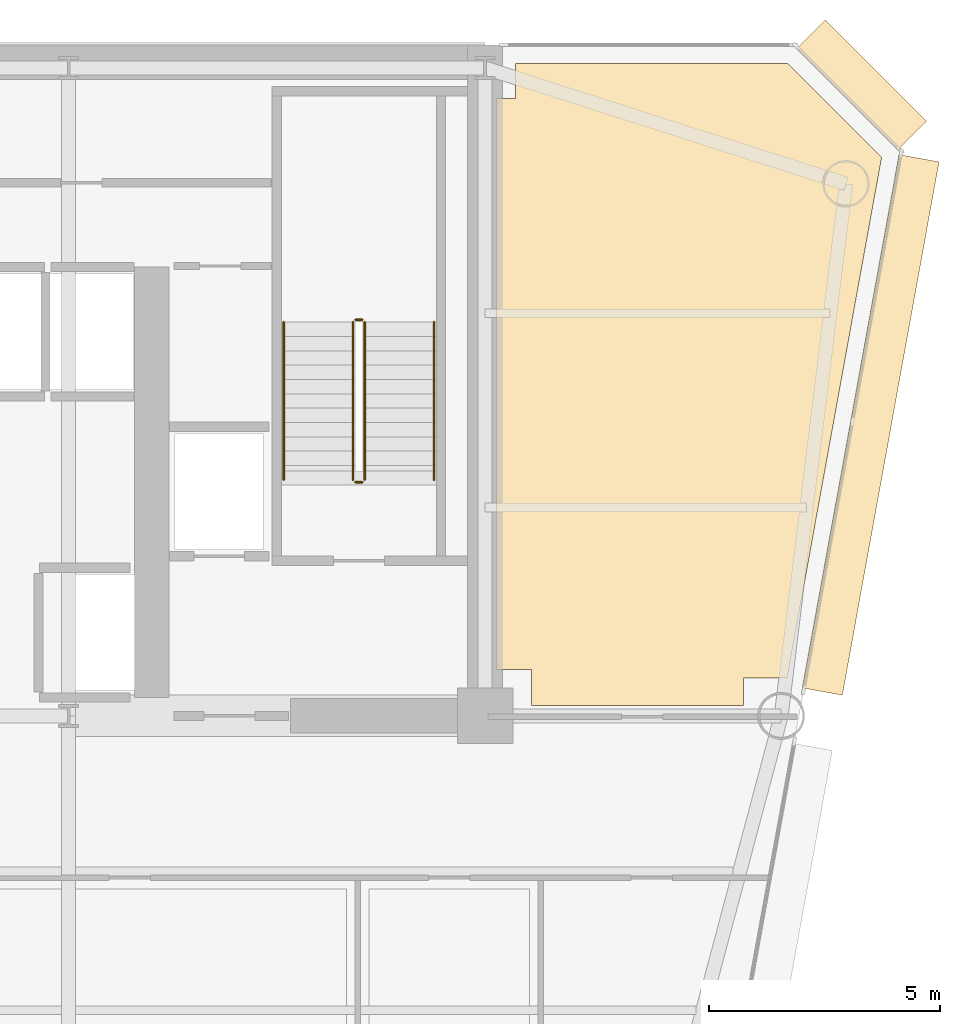
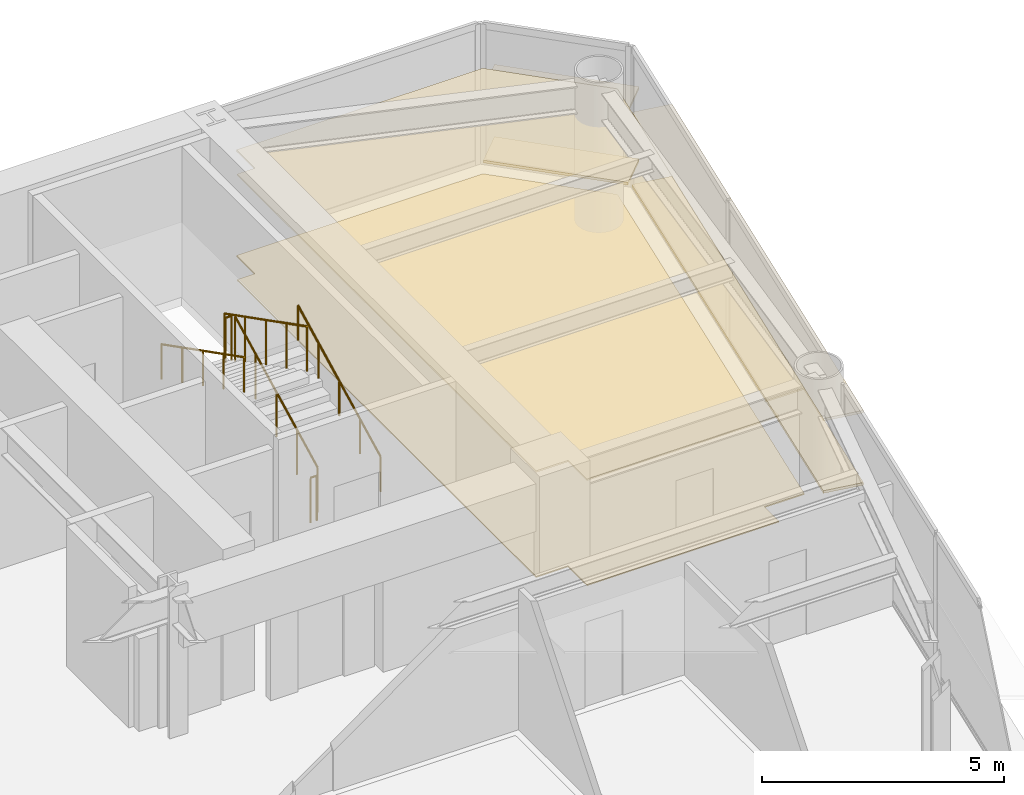
# One storey, part 14 of 14: 6 coverings, 6 railings.
"""IFC4 building model written with IfcOpenShell, lengths in metres."""

from ifc_helpers import new_model, si_unit, direction, frame, origin, origin_2d, place, context, subcontext, project, spatial, polyline, rectangle, circle, outline, extrude, source, transform, mapped, material, layer, layer_set, type_object, element, save


model = new_model("IFC4")

# Units and contexts
model_context = context("Model", 3, precision=1e-05, world=origin(), true_north=direction((0.0, 1.0)))
body_context = subcontext(model_context, "Body", "Model", "MODEL_VIEW")
ifc_project = project(units=[si_unit("LENGTHUNIT", "METRE"), si_unit("AREAUNIT", "SQUARE_METRE"), si_unit("VOLUMEUNIT", "CUBIC_METRE"), si_unit("PLANEANGLEUNIT", "RADIAN"), si_unit("MASSUNIT", "GRAM", prefix="KILO")], contexts=[model_context])

# Site, building, storey
site_placement = place(None, origin())
site = spatial("IfcSite", under=ifc_project, at=site_placement, CompositionType="ELEMENT")
building_placement = place(site_placement, origin())
building = spatial("IfcBuilding", under=site, at=building_placement, Name="Vaeldorn Concourse Tower", CompositionType="ELEMENT")
storey_placement = place(building_placement, frame((0.0, 0.0, 145.199951171875)))
storey = spatial("IfcBuildingStorey", under=building, at=storey_placement, Name="L37", CompositionType="ELEMENT", Elevation=145.199951171875)

# Coverings
ifc_material_1 = material(Name="Acoustic Mineral Fibre Board", Category="gypsum")
ifc_layer_1 = layer(ifc_material_1, 0.0400390625)
ifc_layer_set_1 = layer_set([ifc_layer_1], Name="Acoustic Mineral Fibre Board")
covering_type_1 = type_object("IfcCoveringType", Name="COV-CEIL-ACOUSTIC", PredefinedType="CEILING", material=ifc_layer_set_1)
covering_1_placement = place(storey_placement, frame((0.0, 0.0, 2.650146484375)))
element("IfcCovering", 1, at=covering_1_placement, inside=storey, type_object=covering_type_1, Name="Suspended Acoustic Ceiling L37-4", PredefinedType="CEILING", context=body_context, shape_type="SweptSolid", body=[
    extrude(outline(polyline([(54.659912109375, 49.840087890625), (54.659912109375, 50.60009765625), (60.5341796875, 50.60009765625), (62.569091796875, 48.565185546875), (60.529541015625, 37.320068359375), (59.580078125, 37.320068359375), (59.580078125, 36.719970703125), (55.0, 36.719970703125), (55.0, 37.5), (54.239990234375, 37.5), (54.239990234375, 49.840087890625), (54.659912109375, 49.840087890625)])), origin(), (0.0, 0.0, 1.0), 0.039794921875),
])
ifc_material_2 = material(Name="Honed Limestone Terrazzo Flooring", Category="masonry")
ifc_layer_2 = layer(ifc_material_2, 0.0400390625)
ifc_layer_set_2 = layer_set([ifc_layer_2], Name="Honed Limestone Terrazzo Flooring")
covering_type_2 = type_object("IfcCoveringType", Name="COV-FLOOR-STONE", PredefinedType="FLOORING", material=ifc_layer_set_2)
covering_2_placement = place(storey_placement, origin())
element("IfcCovering", 2, at=covering_2_placement, inside=storey, type_object=covering_type_2, Name="Floor Finish Covering L37-4", PredefinedType="FLOORING", context=body_context, shape_type="SweptSolid", body=[
    extrude(outline(polyline([(54.659912109375, 49.840087890625), (54.659912109375, 50.60009765625), (60.5341796875, 50.60009765625), (62.569091796875, 48.565185546875), (60.529541015625, 37.320068359375), (59.580078125, 37.320068359375), (59.580078125, 36.719970703125), (55.0, 36.719970703125), (55.0, 37.5), (54.239990234375, 37.5), (54.239990234375, 49.840087890625), (54.659912109375, 49.840087890625)])), origin(), (0.0, 0.0, 1.0), 0.030029296875),
])

# Railings
ifc_material_3 = material(Name="Anodised Bronze Aluminium", Category="aluminium")
railing_type_1 = type_object("IfcRailingType", Name="RL-STAIR-GUARD", PredefinedType="GUARDRAIL", material=ifc_material_3)
railing_1_placement = place(storey_placement, frame((51.39990234375, 41.60009765625, 0.158447265625)))
element("IfcRailing", 3, at=railing_1_placement, inside=storey, type_object=railing_type_1, Name="L37 ST-2 stair guard 1", PredefinedType="GUARDRAIL", context=body_context, shape_type="SweptSolid", body=[
    extrude(circle(Radius=0.02392578125, at=origin_2d()), frame((0.0, 0.0, 1.1259765625), z_axis=(0.0, 0.890555807335, 0.454873997962), x_axis=(-1.0, 0.0, 0.0)), (0.0, 0.0, 1.0), 3.828857421875),
    extrude(circle(Radius=0.02099609375, at=origin_2d()), origin(), (0.0, 0.0, 1.0), 1.101806640625),
    extrude(circle(Radius=0.02099609375, at=origin_2d()), frame((0.0, 0.8525390625, 0.435546875)), (0.0, 0.0, 1.0), 1.101806640625),
    extrude(circle(Radius=0.02099609375, at=origin_2d()), frame((0.0, 1.705078125, 0.870849609375)), (0.0, 0.0, 1.0), 1.101806640625),
    extrude(circle(Radius=0.02099609375, at=origin_2d()), frame((0.0, 2.557373046875, 1.30615234375)), (0.0, 0.0, 1.0), 1.101806640625),
    extrude(circle(Radius=0.02099609375, at=origin_2d()), frame((0.0, 3.409912109375, 1.74169921875)), (0.0, 0.0, 1.0), 1.101806640625),
])
railing_2_placement = place(storey_placement, frame((51.35009765625, 45.06005859375, 1.900146484375)))
element("IfcRailing", 4, at=railing_2_placement, inside=storey, type_object=railing_type_1, Name="L37 ST-2 stair guard 2", PredefinedType="GUARDRAIL", context=body_context, shape_type="SweptSolid", body=[
    extrude(circle(Radius=0.02392578125, at=origin_2d()), frame((0.0, 0.0, 1.1259765625), z_axis=(-1.0, 0.0, 0.0), x_axis=(0.0, -1.0, 0.0)), (0.0, 0.0, 1.0), 0.150146484375),
    extrude(circle(Radius=0.02099609375, at=origin_2d()), origin(), (0.0, 0.0, 1.0), 1.101806640625),
    extrude(circle(Radius=0.02099609375, at=origin_2d()), frame((-0.150146484375, 0.0, 0.0)), (0.0, 0.0, 1.0), 1.101806640625),
])
railing_3_placement = place(storey_placement, frame((51.14990234375, 45.010009765625, 2.058349609375)))
element("IfcRailing", 5, at=railing_3_placement, inside=storey, type_object=railing_type_1, Name="L37 ST-2 stair guard 3", PredefinedType="GUARDRAIL", context=body_context, shape_type="SweptSolid", body=[
    extrude(circle(Radius=0.02392578125, at=origin_2d()), frame((0.0, 0.0, 1.1259765625), z_axis=(0.0, -0.890555807335, 0.454873997962), x_axis=(1.0, 0.0, 0.0)), (0.0, 0.0, 1.0), 3.828857421875),
    extrude(circle(Radius=0.02099609375, at=origin_2d()), origin(), (0.0, 0.0, 1.0), 1.101806640625),
    extrude(circle(Radius=0.02099609375, at=origin_2d()), frame((0.0, -0.8525390625, 0.435546875)), (0.0, 0.0, 1.0), 1.101806640625),
    extrude(circle(Radius=0.02099609375, at=origin_2d()), frame((0.0, -1.705078125, 0.870849609375)), (0.0, 0.0, 1.0), 1.101806640625),
    extrude(circle(Radius=0.02099609375, at=origin_2d()), frame((0.0, -2.557373046875, 1.30615234375)), (0.0, 0.0, 1.0), 1.101806640625),
    extrude(circle(Radius=0.02099609375, at=origin_2d()), frame((0.0, -3.409912109375, 1.74169921875)), (0.0, 0.0, 1.0), 1.101806640625),
])
railing_4_placement = place(storey_placement, frame((51.35009765625, 41.550048828125, 0.0)))
element("IfcRailing", 6, at=railing_4_placement, inside=storey, type_object=railing_type_1, Name="L37 ST-2 stair guard 4", PredefinedType="GUARDRAIL", context=body_context, shape_type="SweptSolid", body=[
    extrude(circle(Radius=0.02392578125, at=origin_2d()), frame((0.0, 0.0, 1.1259765625), z_axis=(-1.0, 0.0, 0.0), x_axis=(0.0, -1.0, 0.0)), (0.0, 0.0, 1.0), 0.150146484375),
    extrude(circle(Radius=0.02099609375, at=origin_2d()), origin(), (0.0, 0.0, 1.0), 1.101806640625),
    extrude(circle(Radius=0.02099609375, at=origin_2d()), frame((-0.150146484375, 0.0, 0.0)), (0.0, 0.0, 1.0), 1.101806640625),
])
railing_type_2 = type_object("IfcRailingType", Name="RL-STAIR-HANDRAIL", PredefinedType="HANDRAIL", material=ifc_material_3)
railing_5_placement = place(storey_placement, frame((52.89990234375, 41.60009765625, 0.158447265625)))
element("IfcRailing", 7, at=railing_5_placement, inside=storey, type_object=railing_type_2, Name="L37 ST-2 stair handrail 1", PredefinedType="HANDRAIL", context=body_context, shape_type="SweptSolid", body=[
    extrude(circle(Radius=0.02392578125, at=origin_2d()), frame((0.0, 0.0, 0.8759765625), z_axis=(0.0, 0.890555807335, 0.454873997962), x_axis=(-1.0, 0.0, 0.0)), (0.0, 0.0, 1.0), 3.828857421875),
    extrude(circle(Radius=0.02099609375, at=origin_2d()), origin(), (0.0, 0.0, 1.0), 0.851806640625),
    extrude(circle(Radius=0.02099609375, at=origin_2d()), frame((0.0, 0.8525390625, 0.435546875)), (0.0, 0.0, 1.0), 0.851806640625),
    extrude(circle(Radius=0.02099609375, at=origin_2d()), frame((0.0, 1.705078125, 0.870849609375)), (0.0, 0.0, 1.0), 0.851806640625),
    extrude(circle(Radius=0.02099609375, at=origin_2d()), frame((0.0, 2.557373046875, 1.30615234375)), (0.0, 0.0, 1.0), 0.851806640625),
    extrude(circle(Radius=0.02099609375, at=origin_2d()), frame((0.0, 3.409912109375, 1.74169921875)), (0.0, 0.0, 1.0), 0.851806640625),
])
railing_6_placement = place(storey_placement, frame((49.64990234375, 45.010009765625, 2.058349609375)))
element("IfcRailing", 8, at=railing_6_placement, inside=storey, type_object=railing_type_2, Name="L37 ST-2 stair handrail 2", PredefinedType="HANDRAIL", context=body_context, shape_type="SweptSolid", body=[
    extrude(circle(Radius=0.02392578125, at=origin_2d()), frame((0.0, 0.0, 0.8759765625), z_axis=(0.0, -0.890555807335, 0.454873997962), x_axis=(1.0, 0.0, 0.0)), (0.0, 0.0, 1.0), 3.828857421875),
    extrude(circle(Radius=0.02099609375, at=origin_2d()), origin(), (0.0, 0.0, 1.0), 0.851806640625),
    extrude(circle(Radius=0.02099609375, at=origin_2d()), frame((0.0, -0.8525390625, 0.435546875)), (0.0, 0.0, 1.0), 0.851806640625),
    extrude(circle(Radius=0.02099609375, at=origin_2d()), frame((0.0, -1.705078125, 0.870849609375)), (0.0, 0.0, 1.0), 0.851806640625),
    extrude(circle(Radius=0.02099609375, at=origin_2d()), frame((0.0, -2.557373046875, 1.30615234375)), (0.0, 0.0, 1.0), 0.851806640625),
    extrude(circle(Radius=0.02099609375, at=origin_2d()), frame((0.0, -3.409912109375, 1.74169921875)), (0.0, 0.0, 1.0), 0.851806640625),
])

# Coverings
ifc_layer_3 = layer(ifc_material_3, 0.06494140625)
ifc_layer_set_3 = layer_set([ifc_layer_3], Name="Anodised Bronze Aluminium")
covering_type_3 = type_object("IfcCoveringType", Name="SD-BRONZE-SUNSHADE", PredefinedType="USERDEFINED", material=ifc_layer_set_3)
shared_shape_1 = source(origin(), body_context, "Body", "SweptSolid", [
    extrude(rectangle(XDim=3.0927734375, YDim=0.8798828125, at=origin_2d()), origin(), (0.0, 0.0, 1.0), 0.06494140625),
])
for number, where, z_axis, x_axis, name in (
    (9, (62.1328125, 50.1328125, 0.047607421875), (0.0, 0.0, 1.0), (-0.707106781187, 0.707106781187, 0.0), "Horizontal Bronze Sunshade L37-E08.1.1"),
    (10, (62.1328125, 50.1328125, 1.86767578125), (0.0, 0.0, 1.0), (-0.707106781187, 0.707106781187, 0.0), "Horizontal Bronze Sunshade L37-E08.1.2"),
):
    element("IfcCovering", number, at=place(storey_placement, frame(where, z_axis=z_axis, x_axis=x_axis)), inside=storey, type_object=covering_type_3, Name=name, ObjectType="SUNSHADE", PredefinedType="USERDEFINED", context=body_context, shape_type="MappedRepresentation", body=[
        mapped(shared_shape_1, transform((0.0, 0.0, 0.0), scale=1.0)),
    ])
shared_shape_2 = source(origin(), body_context, "Body", "SweptSolid", [
    extrude(rectangle(XDim=11.712646484375, YDim=0.8798828125, at=origin_2d()), origin(), (0.0, 0.0, 1.0), 0.06494140625),
])
for number, where, z_axis, x_axis, name in (
    (11, (62.334228515625, 42.78759765625, 0.047607421875), (0.0, 0.0, 1.0), (0.178441590414, 0.983950506281, 0.0), "Horizontal Bronze Sunshade L37-E07.2.1"),
    (12, (62.334228515625, 42.78759765625, 1.86767578125), (0.0, 0.0, 1.0), (0.178441590414, 0.983950506281, 0.0), "Horizontal Bronze Sunshade L37-E07.2.2"),
):
    element("IfcCovering", number, at=place(storey_placement, frame(where, z_axis=z_axis, x_axis=x_axis)), inside=storey, type_object=covering_type_3, Name=name, ObjectType="SUNSHADE", PredefinedType="USERDEFINED", context=body_context, shape_type="MappedRepresentation", body=[
        mapped(shared_shape_2, transform((0.0, 0.0, 0.0), scale=1.0)),
    ])

save(model, "model.ifc")
